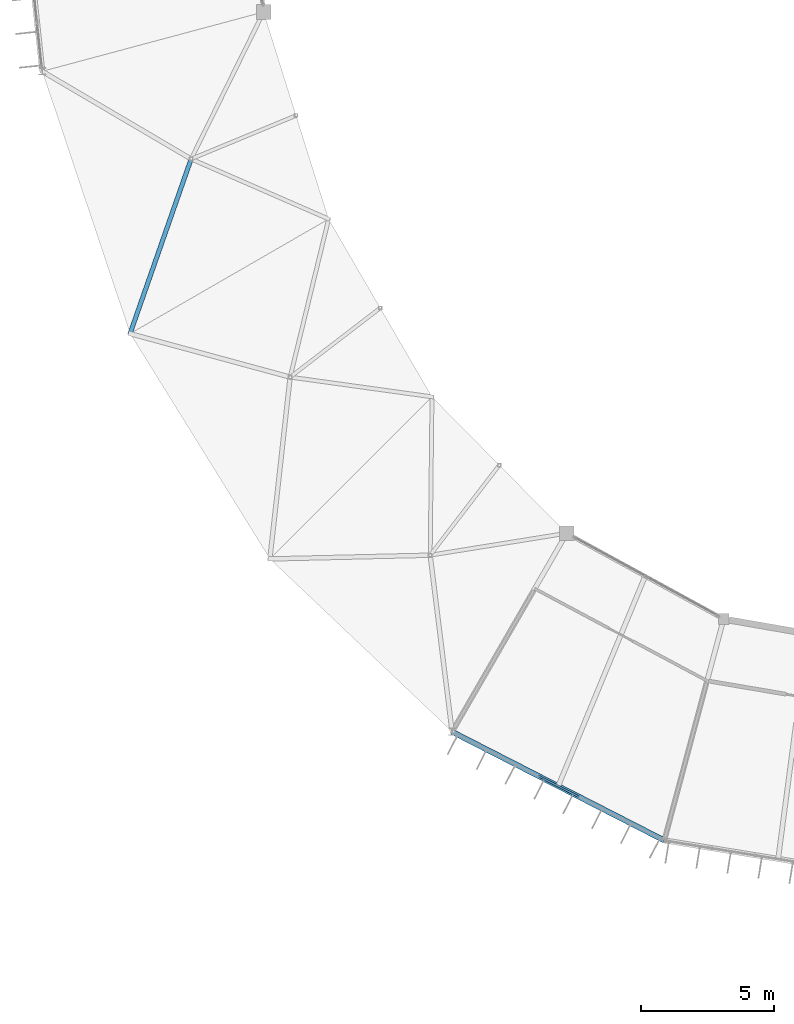
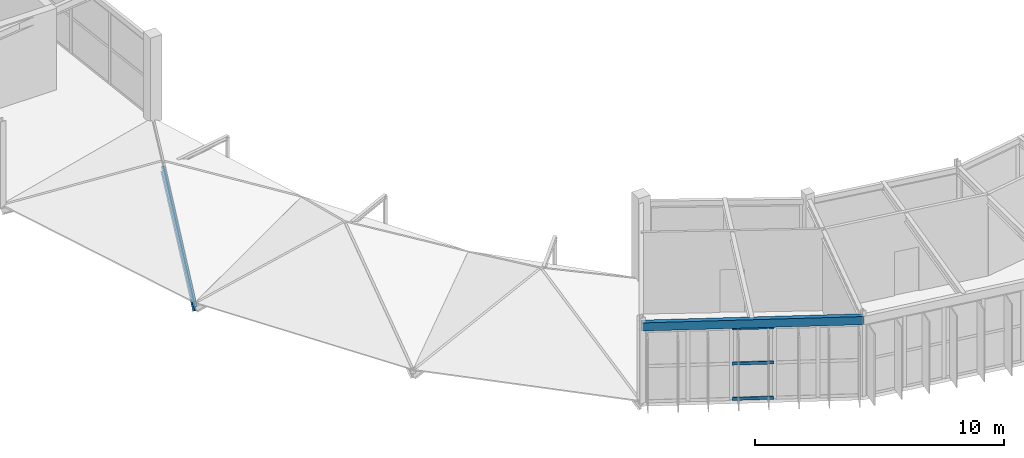
# One storey, part 16 of 106: 4 members, 1 beam, 1 element without a shape of its own.
"""IFC4 building model written with IfcOpenShell, lengths in metres."""

from ifc_helpers import new_model, si_unit, direction, frame, origin, origin_2d, place, context, subcontext, project, spatial, hollow_rectangle, i_section, extrude, material, material_profile, profile_set, type_object, element, aggregate, save


model = new_model("IFC4")

# Units and contexts
model_context = context("Model", 3, precision=1e-05, world=origin(), true_north=direction((0.0, 1.0)))
body_context = subcontext(model_context, "Body", "Model", "MODEL_VIEW")
ifc_project = project(units=[si_unit("LENGTHUNIT", "METRE"), si_unit("AREAUNIT", "SQUARE_METRE"), si_unit("VOLUMEUNIT", "CUBIC_METRE"), si_unit("PLANEANGLEUNIT", "RADIAN"), si_unit("MASSUNIT", "GRAM", prefix="KILO")], contexts=[model_context])

# Site, building, storey
site_placement = place(None, origin())
site = spatial("IfcSite", under=ifc_project, at=site_placement, CompositionType="ELEMENT")
building_placement = place(site_placement, origin())
building = spatial("IfcBuilding", under=site, at=building_placement, Name="Karori Crest Natural Sciences Institute", CompositionType="ELEMENT")
storey_placement = place(building_placement, frame((0.0, 0.0, 25.89990234375)))
storey = spatial("IfcBuildingStorey", under=building, at=storey_placement, Name="L06", CompositionType="ELEMENT", Elevation=25.89990234375)

# Beam
ifc_material_1 = material(Name="Hollow structural steel AS/NZS 1163 Grade C350", Category="steel")
ifc_material_profile_1 = material_profile(ifc_material_1, hollow_rectangle(XDim=0.199951171875, YDim=0.39990234375, WallThickness=0.012451171875, at=origin_2d()), Name="RHS400x200x12.5")
ifc_profile_set_1 = profile_set([ifc_material_profile_1], Name="Hollow structural steel AS/NZS 1163 Grade C350")
beam_type = type_object("IfcBeamType", Name="BT-14", PredefinedType="SPANDREL", material=ifc_profile_set_1)
beam_placement = place(storey_placement, frame((49.89990234375, 14.566162109375, 3.739990234375), z_axis=(0.890071733872, -0.455820478436, 0.0), x_axis=(0.455820478436, 0.890071733872, 0.0)))
element("IfcBeam", 1, at=beam_placement, inside=storey, type_object=beam_type, Name="Beam B-0692", PredefinedType="SPANDREL", context=body_context, shape_type="SweptSolid", body=[
    extrude(hollow_rectangle(XDim=0.199951171875, YDim=0.39990234375, WallThickness=0.012451171875, at=origin_2d()), origin(), (0.0, 0.0, 1.0), 8.94189453125),
])

# Curtain wall, members
ifc_material_2 = material(Name="Anodised architectural aluminium 6063-T6", Category="aluminium")
curtain_wall_type = type_object("IfcCurtainWallType", Name="CWT-07", PredefinedType="NOTDEFINED", material=ifc_material_2)
curtain_wall_placement = place(storey_placement, origin())
curtain_wall = element("IfcCurtainWall", 2, at=curtain_wall_placement, inside=storey, type_object=curtain_wall_type, Name="Curtain wall CW-0208", PredefinedType="NOTDEFINED")
ifc_material_profile_2 = material_profile(ifc_material_2, hollow_rectangle(XDim=0.06494140625, YDim=0.14990234375, WallThickness=0.00390625, at=origin_2d()), Name="CWT150x65x4")
ifc_profile_set_2 = profile_set([ifc_material_profile_2], Name="Anodised architectural aluminium 6063-T6")
member_type_1 = type_object("IfcMemberType", Name="CWT-TR2", PredefinedType="USERDEFINED", material=ifc_profile_set_2)
member_1_placement = place(storey_placement, frame((54.6513671875, 12.1328125, 0.03271484375), z_axis=(-0.890050562189, 0.455861817601, 0.0), x_axis=(-0.455861817601, -0.890050562189, 0.0)))
member_1 = element("IfcMember", 3, at=member_1_placement, type_object=member_type_1, Name="CW-0208 transom 3.1", ObjectType="TRANSOM", PredefinedType="USERDEFINED", context=body_context, shape_type="SweptSolid", body=[
    extrude(hollow_rectangle(XDim=0.06494140625, YDim=0.14990234375, WallThickness=0.00390625, at=origin_2d()), origin(), (0.0, 0.0, 1.0), 1.678466796875),
])
member_2_placement = place(storey_placement, frame((54.6513671875, 12.1328125, 1.7626953125), z_axis=(-0.890050562189, 0.455861817601, 0.0), x_axis=(-0.455861817601, -0.890050562189, 0.0)))
member_2 = element("IfcMember", 4, at=member_2_placement, type_object=member_type_1, Name="CW-0208 transom 3.2", ObjectType="TRANSOM", PredefinedType="USERDEFINED", context=body_context, shape_type="SweptSolid", body=[
    extrude(hollow_rectangle(XDim=0.06494140625, YDim=0.14990234375, WallThickness=0.00390625, at=origin_2d()), origin(), (0.0, 0.0, 1.0), 1.678466796875),
])
member_3_placement = place(storey_placement, frame((54.6513671875, 12.1328125, 3.49267578125), z_axis=(-0.890050562189, 0.455861817601, 0.0), x_axis=(-0.455861817601, -0.890050562189, 0.0)))
member_3 = element("IfcMember", 5, at=member_3_placement, type_object=member_type_1, Name="CW-0208 transom 3.3", ObjectType="TRANSOM", PredefinedType="USERDEFINED", context=body_context, shape_type="SweptSolid", body=[
    extrude(hollow_rectangle(XDim=0.06494140625, YDim=0.14990234375, WallThickness=0.00390625, at=origin_2d()), origin(), (0.0, 0.0, 1.0), 1.678466796875),
])
aggregate(curtain_wall, [member_1, member_2, member_3])

# Member
ifc_material_3 = material(Name="Structural steel AS/NZS 3679.1 Grade 350", Category="steel")
ifc_material_profile_3 = material_profile(ifc_material_3, i_section(OverallWidth=0.166015625, OverallDepth=0.306884765625, WebThickness=0.006591796875, FlangeThickness=0.01171875, FilletRadius=0.010986328125, at=origin_2d()), Name="310UB46.2")
ifc_profile_set_3 = profile_set([ifc_material_profile_3], Name="Structural steel AS/NZS 3679.1 Grade 350")
member_type_2 = type_object("IfcMemberType", Name="MT-06", PredefinedType="RAFTER", material=ifc_profile_set_3)
member_4_placement = place(storey_placement, frame((37.8212890625, 29.5, -0.260009765625), z_axis=(0.315903394394, 0.903663531453, 0.289131920293), x_axis=(-0.94398168513, 0.329997845657, 0.0)))
element("IfcMember", 6, at=member_4_placement, inside=storey, type_object=member_type_2, Name="Member M-0123", PredefinedType="RAFTER", context=body_context, shape_type="SweptSolid", body=[
    extrude(i_section(OverallWidth=0.166015625, OverallDepth=0.306884765625, WebThickness=0.006591796875, FlangeThickness=0.01171875, FilletRadius=0.010986328125, at=origin_2d()), origin(), (0.0, 0.0, 1.0), 7.25),
])

save(model, "model.ifc")
